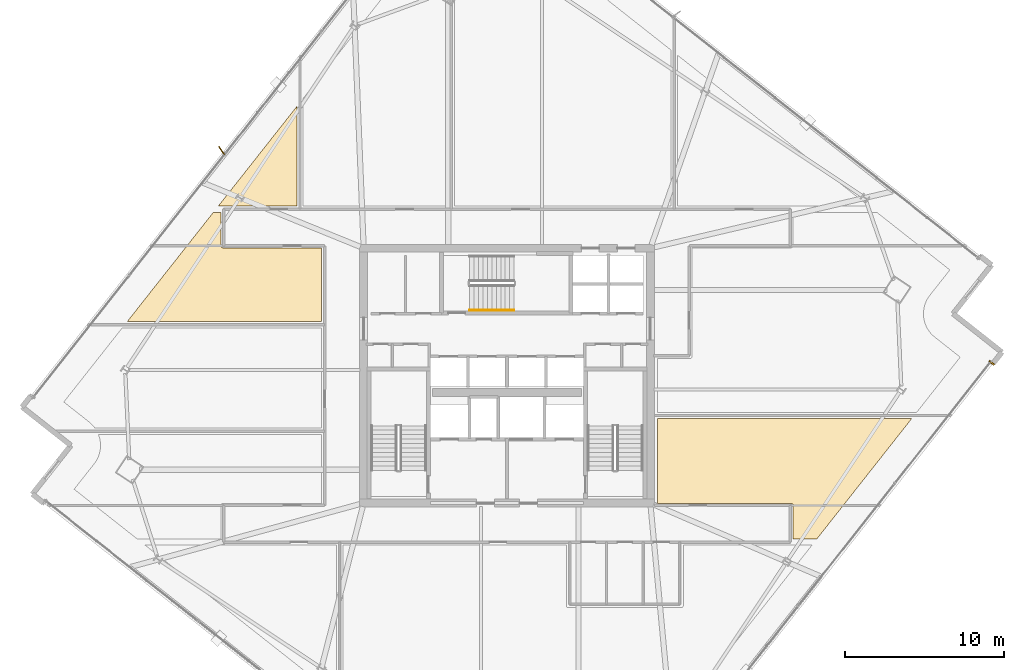
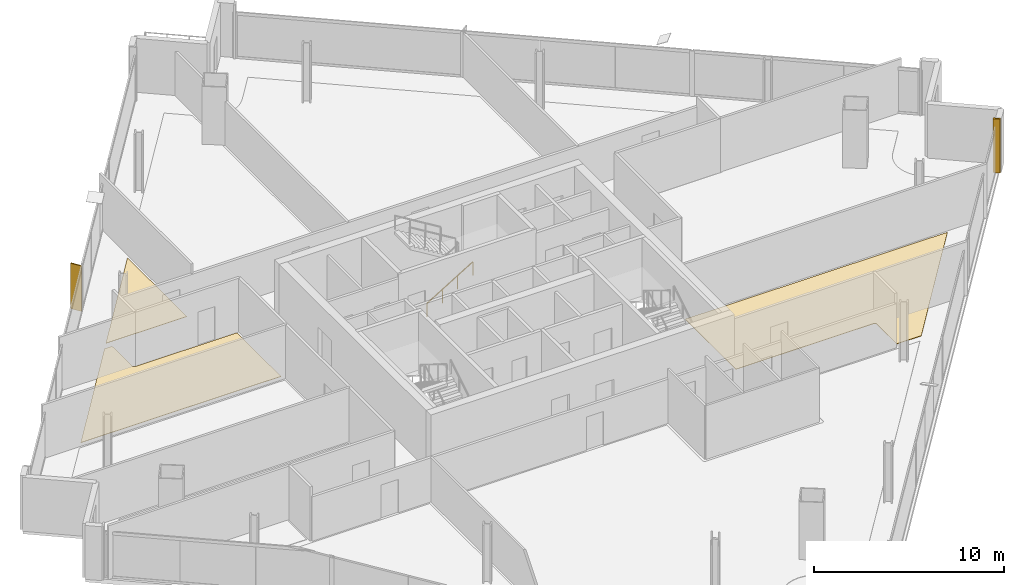
# One storey, part 26 of 28: 4 coverings, 1 railing, 1 shading device.
"""IFC4 building model written with IfcOpenShell, lengths in metres."""

from ifc_helpers import new_model, si_unit, direction, frame, origin, origin_2d, place, context, subcontext, project, spatial, polyline, rectangle, outline, extrude, source, transform, mapped, material, layer, layer_set, type_object, element, save


model = new_model("IFC4")

# Units and contexts
model_context = context("Model", 3, precision=1e-05, world=origin(), true_north=direction((0.0, 1.0)))
body_context = subcontext(model_context, "Body", "Model", "MODEL_VIEW")
ifc_project = project(units=[si_unit("LENGTHUNIT", "METRE"), si_unit("AREAUNIT", "SQUARE_METRE"), si_unit("VOLUMEUNIT", "CUBIC_METRE"), si_unit("PLANEANGLEUNIT", "RADIAN"), si_unit("MASSUNIT", "GRAM", prefix="KILO")], contexts=[model_context])

# Site, building, storey
site_placement = place(None, origin())
site = spatial("IfcSite", under=ifc_project, at=site_placement, CompositionType="ELEMENT")
building_placement = place(site_placement, origin())
building = spatial("IfcBuilding", under=site, at=building_placement, Name="Haldenkirk Collegiate Tower", CompositionType="ELEMENT")
storey_placement = place(building_placement, frame((0.0, 0.0, 202.199951171875)))
storey = spatial("IfcBuildingStorey", under=building, at=storey_placement, Name="L50", CompositionType="ELEMENT", Elevation=202.199951171875)

# Coverings
ifc_material_1 = material(Name="Polished collegiate terrazzo", Category="concrete")
ifc_layer_1 = layer(ifc_material_1, 0.02490234375)
ifc_layer_set_1 = layer_set([ifc_layer_1], Name="Polished collegiate terrazzo")
covering_type_1 = type_object("IfcCoveringType", Name="COV-FLOOR-TERRAZZO", PredefinedType="FLOORING", material=ifc_layer_set_1)
covering_1_placement = place(storey_placement, origin())
element("IfcCovering", 1, at=covering_1_placement, inside=storey, type_object=covering_type_1, Name="L50 academic room finish 10", PredefinedType="FLOORING", context=body_context, shape_type="SweptSolid", body=[
    extrude(outline(polyline([(55.462646484375, 15.75), (53.969970703125, 15.75), (53.969970703125, 17.85009765625), (53.969482421875, 17.86181640625), (53.9677734375, 17.873291015625), (53.96484375, 17.884765625), (53.9609375, 17.89599609375), (53.955810546875, 17.906494140625), (53.94970703125, 17.916748046875), (53.94287109375, 17.926025390625), (53.934814453125, 17.934814453125), (53.926025390625, 17.94287109375), (53.916748046875, 17.94970703125), (53.906494140625, 17.955810546875), (53.89599609375, 17.9609375), (53.884765625, 17.96484375), (53.873291015625, 17.9677734375), (53.86181640625, 17.969482421875), (53.85009765625, 17.969970703125), (45.449951171875, 17.969970703125), (45.449951171875, 23.300048828125), (61.41455078125, 23.300048828125), (55.462646484375, 15.75)])), origin(), (0.0, 0.0, 1.0), 0.025146484375),
])
ifc_material_2 = material(Name="Engineered collegiate oak acoustic flooring", Category="wood")
ifc_layer_2 = layer(ifc_material_2, 0.02197265625)
ifc_layer_set_2 = layer_set([ifc_layer_2], Name="Engineered collegiate oak acoustic flooring")
covering_type_2 = type_object("IfcCoveringType", Name="COV-FLOOR-TIMBER", PredefinedType="FLOORING", material=ifc_layer_set_2)
covering_2_placement = place(storey_placement, origin())
element("IfcCovering", 2, at=covering_2_placement, inside=storey, type_object=covering_type_2, Name="L50 academic room finish 03", PredefinedType="FLOORING", context=body_context, shape_type="SweptSolid", body=[
    extrude(outline(polyline([(22.800048828125, 42.90185546875), (22.800048828125, 36.64990234375), (17.871337890625, 36.64990234375), (22.800048828125, 42.90185546875)])), origin(), (0.0, 0.0, 1.0), 0.02197265625),
])
covering_3_placement = place(storey_placement, origin())
element("IfcCovering", 3, at=covering_3_placement, inside=storey, type_object=covering_type_2, Name="L50 academic room finish 09", PredefinedType="FLOORING", context=body_context, shape_type="SweptSolid", body=[
    extrude(outline(polyline([(17.55615234375, 36.25), (18.030029296875, 36.25), (18.030029296875, 34.14990234375), (18.030517578125, 34.13818359375), (18.0322265625, 34.126708984375), (18.03515625, 34.115234375), (18.0390625, 34.10400390625), (18.044189453125, 34.093505859375), (18.05029296875, 34.083251953125), (18.05712890625, 34.073974609375), (18.065185546875, 34.065185546875), (18.073974609375, 34.05712890625), (18.083251953125, 34.05029296875), (18.093505859375, 34.044189453125), (18.10400390625, 34.0390625), (18.115234375, 34.03515625), (18.126708984375, 34.0322265625), (18.13818359375, 34.030517578125), (18.14990234375, 34.030029296875), (24.35009765625, 34.030029296875), (24.35009765625, 29.39990234375), (12.156005859375, 29.39990234375), (17.55615234375, 36.25)])), origin(), (0.0, 0.0, 1.0), 0.02197265625),
])

# Railing
ifc_material_3 = material(Name="Painted architectural tubular steel", Category="steel")
railing_type = type_object("IfcRailingType", Name="RLG-STAIR-HANDRAIL-900", PredefinedType="HANDRAIL", material=ifc_material_3)
railing_placement = place(storey_placement, frame((33.64990234375, 30.10009765625, 0.17041015625)))
element("IfcRailing", 4, at=railing_placement, inside=storey, type_object=railing_type, Name="L50 ST-3 stair handrail 1", PredefinedType="HANDRAIL", context=body_context, shape_type="SweptSolid", body=[
    extrude(rectangle(XDim=0.048095703125, YDim=0.048095703125, at=origin_2d()), frame((0.0, 0.0, 0.8759765625), z_axis=(0.854169791009, 0.0, 0.51999420009), x_axis=(0.0, 1.0, 0.0)), (0.0, 0.0, 1.0), 3.278076171875),
    extrude(rectangle(XDim=0.0419921875, YDim=0.0419921875, at=origin_2d()), origin(), (0.0, 0.0, 1.0), 0.851806640625),
    extrude(rectangle(XDim=0.0419921875, YDim=0.0419921875, at=origin_2d()), frame((0.933349609375, 0.0, 0.568115234375)), (0.0, 0.0, 1.0), 0.851806640625),
    extrude(rectangle(XDim=0.0419921875, YDim=0.0419921875, at=origin_2d()), frame((1.86669921875, 0.0, 1.136474609375)), (0.0, 0.0, 1.0), 0.851806640625),
    extrude(rectangle(XDim=0.0419921875, YDim=0.0419921875, at=origin_2d()), frame((2.800048828125, 0.0, 1.70458984375)), (0.0, 0.0, 1.0), 0.851806640625),
])

# Covering
ifc_material_4 = material(Name="Anodised architectural bronze aluminium", Category="aluminium")
ifc_layer_3 = layer(ifc_material_4, 0.06005859375)
ifc_layer_set_3 = layer_set([ifc_layer_3], Name="Anodised architectural bronze aluminium")
covering_type_3 = type_object("IfcCoveringType", Name="COV-CLAD-BRONZE-60", PredefinedType="CLADDING", material=ifc_layer_set_3)
shared_shape_1 = source(origin(), body_context, "Body", "SweptSolid", [
    extrude(rectangle(XDim=0.10009765625, YDim=0.3798828125, at=origin_2d()), origin(), (0.0, 0.0, 1.0), 3.469970703125),
])
covering_4_placement = place(storey_placement, frame((66.43798828125, 26.797119140625, 0.0), z_axis=(0.0, 0.0, 1.0), x_axis=(-0.61909394931, -0.785316930881, 0.0)))
element("IfcCovering", 5, at=covering_4_placement, inside=storey, type_object=covering_type_3, Name="L50 recessed curtain-wall bronze jamb closure SJL", PredefinedType="CLADDING", context=body_context, shape_type="MappedRepresentation", body=[
    mapped(shared_shape_1, transform((0.0, 0.0, 0.0), x_axis=(1.0, 0.0, 0.0), y_axis=(0.0, 1.0, 0.0), z_axis=(0.0, 0.0, 1.0), scale=1.0)),
])

# Shading device
ifc_layer_4 = layer(ifc_material_4, 0.06494140625)
ifc_layer_set_4 = layer_set([ifc_layer_4], Name="Anodised architectural bronze aluminium")
shading_device_type = type_object("IfcShadingDeviceType", Name="SHD-FIN-BRONZE-620", PredefinedType="USERDEFINED", material=ifc_layer_set_4)
shared_shape_2 = source(origin(), body_context, "Body", "SweptSolid", [
    extrude(rectangle(XDim=0.6201171875, YDim=0.06494140625, at=origin_2d()), origin(), (0.0, 0.0, 1.0), 2.927978515625),
])
shading_device_placement = place(storey_placement, frame((18.0830078125, 40.124755859375, 0.0), z_axis=(0.0, 0.0, 1.0), x_axis=(-0.584249665637, 0.811573981965, 0.0)))
element("IfcShadingDevice", 6, at=shading_device_placement, inside=storey, type_object=shading_device_type, Name="L50 folded bronze solar fin 1", ObjectType="FIN", PredefinedType="USERDEFINED", context=body_context, shape_type="MappedRepresentation", body=[
    mapped(shared_shape_2, transform((0.0, 0.0, 0.0), x_axis=(1.0, 0.0, 0.0), y_axis=(0.0, 1.0, 0.0), z_axis=(0.0, 0.0, 1.0), scale=1.0)),
])

save(model, "model.ifc")
